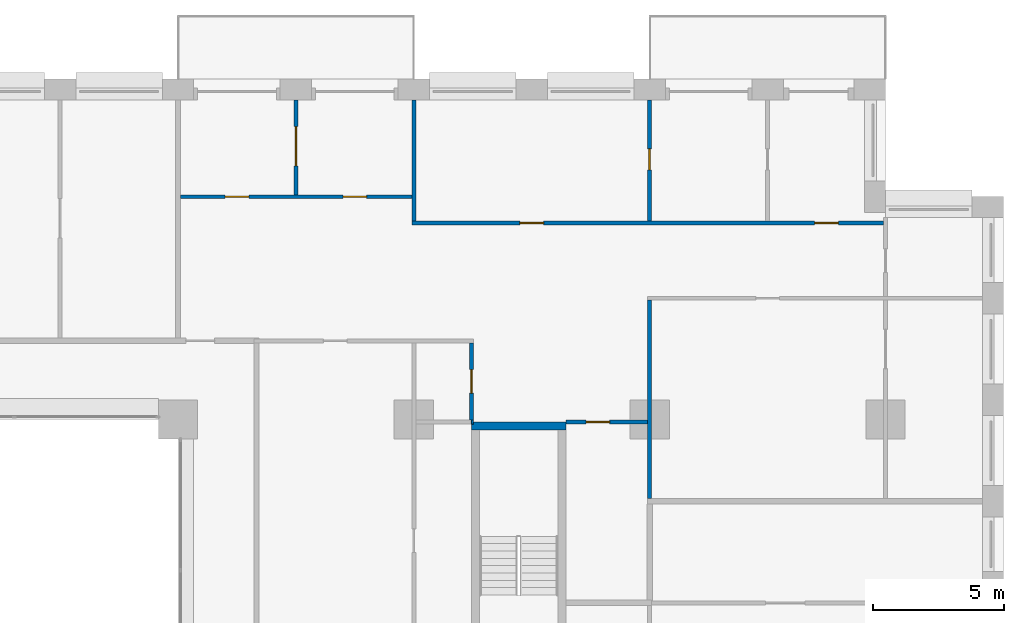
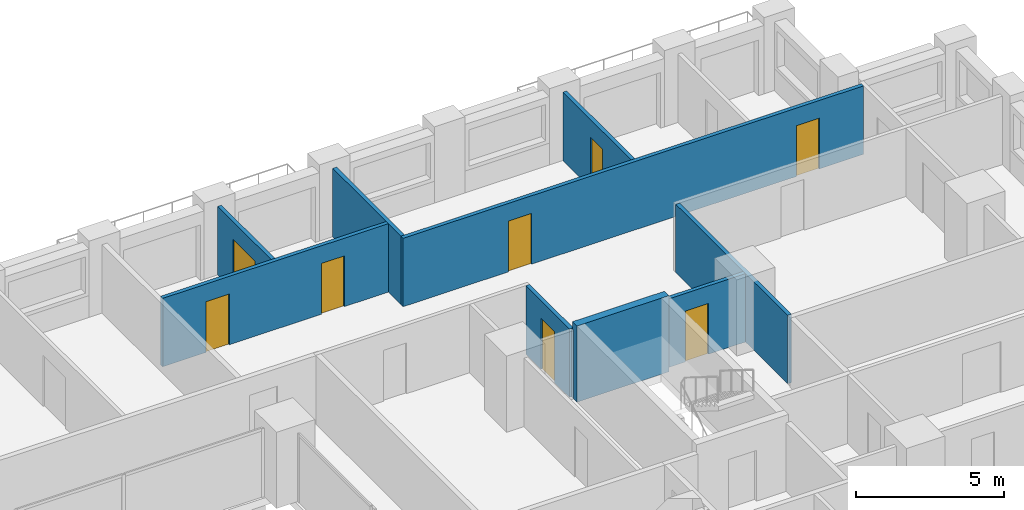
# One storey, part 16 of 21: 10 walls, 8 doors, 8 openings.
"""IFC4 building model written with IfcOpenShell, lengths in metres."""

from ifc_helpers import new_model, si_unit, direction, frame, frame_2d, origin, place, context, subcontext, project, spatial, rectangle, extrude, material, layer, layer_set, type_object, element, fill, save


model = new_model("IFC4")

# Units and contexts
model_context = context("Model", 3, precision=1e-05, world=origin(), true_north=direction((0.0, 1.0)))
body_context = subcontext(model_context, "Body", "Model", "MODEL_VIEW")
ifc_project = project(units=[si_unit("LENGTHUNIT", "METRE"), si_unit("AREAUNIT", "SQUARE_METRE"), si_unit("VOLUMEUNIT", "CUBIC_METRE"), si_unit("PLANEANGLEUNIT", "RADIAN"), si_unit("MASSUNIT", "GRAM", prefix="KILO")], contexts=[model_context])

# Site, building, storey
site_placement = place(None, origin())
site = spatial("IfcSite", under=ifc_project, at=site_placement, CompositionType="ELEMENT")
building_placement = place(site_placement, origin())
building = spatial("IfcBuilding", under=site, at=building_placement, Name="Brigalow Station Residences", CompositionType="ELEMENT")
storey_placement = place(building_placement, frame((0.0, 0.0, 47.85009765625)))
storey = spatial("IfcBuildingStorey", under=building, at=storey_placement, Name="L13", CompositionType="ELEMENT", Elevation=47.85009765625)

# Wall
ifc_material_1 = material(Name="Concrete C80", Category="concrete")
ifc_layer_1 = layer(ifc_material_1, 0.300048828125)
ifc_layer_set_1 = layer_set([ifc_layer_1], Name="CORE SHEAR WALL 300 C80")
wall_type_1 = type_object("IfcWallType", Name="CORE SHEAR WALL 300 C80", PredefinedType="SHEAR", material=ifc_layer_set_1)
wall_1_placement = place(storey_placement, frame((56.199951171875, 35.25, 0.0), z_axis=(0.0, 0.0, 1.0), x_axis=(1.0, 0.0, 0.0)))
element("IfcWall", 1, at=wall_1_placement, inside=storey, type_object=wall_type_1, Name="CORE WALL ST-S3-N L13", PredefinedType="SHEAR", context=body_context, shape_type="SweptSolid", body=[
    extrude(rectangle(XDim=3.60009765625, YDim=0.300048828125, at=frame_2d((1.800048828125, 0.0))), origin(), (0.0, 0.0, 1.0), 3.14990234375),
])

# Wall, openings, doors
ifc_material_2 = material(Name="Plasterboard on steel stud partition", Category="steel")
ifc_layer_2 = layer(ifc_material_2, 0.14990234375)
ifc_layer_set_2 = layer_set([ifc_layer_2], Name="FLAT PARTITION 150")
wall_type_2 = type_object("IfcWallType", Name="FLAT PARTITION 150", PredefinedType="PARTITIONING", material=ifc_layer_set_2)
wall_2_placement = place(storey_placement, frame((45.10009765625, 44.0, 0.0), z_axis=(0.0, 0.0, 1.0), x_axis=(1.0, 0.0, 0.0)))
wall_2 = element("IfcWall", 2, at=wall_2_placement, inside=storey, type_object=wall_type_2, Name="PW-1D22", PredefinedType="PARTITIONING", context=body_context, shape_type="SweptSolid", body=[
    extrude(rectangle(XDim=8.824951171875, YDim=0.14990234375, at=frame_2d((4.41259765625, 0.0))), origin(), (0.0, 0.0, 1.0), 2.829833984375),
])
opening_1_placement = place(wall_2_placement, frame((6.199951171875, 0.0, 0.0)))
opening_1 = element("IfcOpeningElement", 3, at=opening_1_placement, cuts=wall_2, Name="Opening D-1D36", PredefinedType="OPENING", context=body_context, shape_type="SweptSolid", body=[
    extrude(rectangle(XDim=0.89990234375, YDim=2.10009765625, at=frame_2d((0.449951171875, 1.050048828125))), frame((0.0, 0.0849609375, 0.0), z_axis=(0.0, -1.0, 0.0), x_axis=(1.0, 0.0, 0.0)), (0.0, 0.0, 1.0), 0.169921875),
])
opening_2_placement = place(wall_2_placement, frame((1.699951171875, 0.0, 0.0)))
opening_2 = element("IfcOpeningElement", 4, at=opening_2_placement, cuts=wall_2, Name="Opening D-1D40", PredefinedType="OPENING", context=body_context, shape_type="SweptSolid", body=[
    extrude(rectangle(XDim=0.89990234375, YDim=2.10009765625, at=frame_2d((0.449951171875, 1.050048828125))), frame((0.0, 0.0849609375, 0.0), z_axis=(0.0, -1.0, 0.0), x_axis=(1.0, 0.0, 0.0)), (0.0, 0.0, 1.0), 0.169921875),
])
ifc_material_3 = material(Name="Solid-core timber door leaf", Category="wood")
door_type_1 = type_object("IfcDoorType", Name="INTERNAL DOOR 900 x 2100", OperationType="SINGLE_SWING_LEFT", PredefinedType="DOOR", material=ifc_material_3)
door_1_placement = place(opening_1_placement, origin())
door_1 = element("IfcDoor", 5, at=door_1_placement, inside=storey, type_object=door_type_1, Name="D-1D36", OperationType="SINGLE_SWING_LEFT", OverallHeight=2.10009765625, OverallWidth=0.89990234375, PredefinedType="DOOR", context=body_context, shape_type="SweptSolid", body=[
    extrude(rectangle(XDim=0.89990234375, YDim=2.10009765625, at=frame_2d((0.449951171875, 1.050048828125))), frame((0.0, 0.02490234375, 0.0), z_axis=(0.0, -1.0, 0.0), x_axis=(1.0, 0.0, 0.0)), (0.0, 0.0, 1.0), 0.050048828125),
])
fill(opening_1, door_1)
door_2_placement = place(opening_2_placement, origin())
door_2 = element("IfcDoor", 6, at=door_2_placement, inside=storey, type_object=door_type_1, Name="D-1D40", OperationType="SINGLE_SWING_LEFT", OverallHeight=2.10009765625, OverallWidth=0.89990234375, PredefinedType="DOOR", context=body_context, shape_type="SweptSolid", body=[
    extrude(rectangle(XDim=0.89990234375, YDim=2.10009765625, at=frame_2d((0.449951171875, 1.050048828125))), frame((0.0, 0.02490234375, 0.0), z_axis=(0.0, -1.0, 0.0), x_axis=(1.0, 0.0, 0.0)), (0.0, 0.0, 1.0), 0.050048828125),
])
fill(opening_2, door_2)

# Wall
wall_3_placement = place(storey_placement, frame((56.199951171875, 35.39990234375, 0.0), z_axis=(0.0, 0.0, 1.0), x_axis=(1.0, 0.0, 0.0)))
element("IfcWall", 7, at=wall_3_placement, inside=storey, type_object=wall_type_2, Name="PW-1D26", PredefinedType="PARTITIONING", context=body_context, shape_type="SweptSolid", body=[
    extrude(rectangle(XDim=0.074951171875, YDim=0.14990234375, at=frame_2d((0.03759765625, 0.0))), origin(), (0.0, 0.0, 1.0), 2.829833984375),
])

# Wall, opening, door
wall_4_placement = place(storey_placement, frame((59.800048828125, 35.39990234375, 0.0), z_axis=(0.0, 0.0, 1.0), x_axis=(1.0, 0.0, 0.0)))
wall_4 = element("IfcWall", 8, at=wall_4_placement, inside=storey, type_object=wall_type_2, Name="PW-1D27", PredefinedType="PARTITIONING", context=body_context, shape_type="SweptSolid", body=[
    extrude(rectangle(XDim=3.125, YDim=0.14990234375, at=frame_2d((1.5625, 0.0))), origin(), (0.0, 0.0, 1.0), 2.829833984375),
])
opening_3_placement = place(wall_4_placement, frame((0.77490234375, 0.0, 0.0)))
opening_3 = element("IfcOpeningElement", 9, at=opening_3_placement, cuts=wall_4, Name="Opening D-1D45", PredefinedType="OPENING", context=body_context, shape_type="SweptSolid", body=[
    extrude(rectangle(XDim=0.89990234375, YDim=2.10009765625, at=frame_2d((0.449951171875, 1.050048828125))), frame((0.0, 0.0849609375, 0.0), z_axis=(0.0, -1.0, 0.0), x_axis=(1.0, 0.0, 0.0)), (0.0, 0.0, 1.0), 0.169921875),
])
door_3_placement = place(opening_3_placement, frame((0.89990234375, 0.0, 0.0), z_axis=(0.0, 0.0, 1.0), x_axis=(-1.0, 0.0, 0.0)))
door_3 = element("IfcDoor", 10, at=door_3_placement, inside=storey, type_object=door_type_1, Name="D-1D45", OperationType="SINGLE_SWING_RIGHT", OverallHeight=2.10009765625, OverallWidth=0.89990234375, PredefinedType="DOOR", context=body_context, shape_type="SweptSolid", body=[
    extrude(rectangle(XDim=0.89990234375, YDim=2.10009765625, at=frame_2d((0.449951171875, 1.050048828125))), frame((0.0, 0.02490234375, 0.0), z_axis=(0.0, -1.0, 0.0), x_axis=(1.0, 0.0, 0.0)), (0.0, 0.0, 1.0), 0.050048828125),
])
fill(opening_3, door_3)

# Wall, openings, doors
wall_5_placement = place(storey_placement, frame((53.925048828125, 43.0, 0.0), z_axis=(0.0, 0.0, 1.0), x_axis=(1.0, 0.0, 0.0)))
wall_5 = element("IfcWall", 11, at=wall_5_placement, inside=storey, type_object=wall_type_2, Name="PW-1D30", PredefinedType="PARTITIONING", context=body_context, shape_type="SweptSolid", body=[
    extrude(rectangle(XDim=18.0, YDim=0.14990234375, at=frame_2d((9.0, 0.0))), origin(), (0.0, 0.0, 1.0), 2.829833984375),
])
opening_4_placement = place(wall_5_placement, frame((15.375, 0.0, 0.0)))
opening_4 = element("IfcOpeningElement", 12, at=opening_4_placement, cuts=wall_5, Name="Opening D-1D35", PredefinedType="OPENING", context=body_context, shape_type="SweptSolid", body=[
    extrude(rectangle(XDim=0.89990234375, YDim=2.10009765625, at=frame_2d((0.449951171875, 1.050048828125))), frame((0.0, 0.0849609375, 0.0), z_axis=(0.0, -1.0, 0.0), x_axis=(1.0, 0.0, 0.0)), (0.0, 0.0, 1.0), 0.169921875),
])
opening_5_placement = place(wall_5_placement, frame((4.125, 0.0, 0.0)))
opening_5 = element("IfcOpeningElement", 13, at=opening_5_placement, cuts=wall_5, Name="Opening D-1D41", PredefinedType="OPENING", context=body_context, shape_type="SweptSolid", body=[
    extrude(rectangle(XDim=0.89990234375, YDim=2.10009765625, at=frame_2d((0.449951171875, 1.050048828125))), frame((0.0, 0.0849609375, 0.0), z_axis=(0.0, -1.0, 0.0), x_axis=(1.0, 0.0, 0.0)), (0.0, 0.0, 1.0), 0.169921875),
])
door_4_placement = place(opening_4_placement, origin())
door_4 = element("IfcDoor", 14, at=door_4_placement, inside=storey, type_object=door_type_1, Name="D-1D35", OperationType="SINGLE_SWING_RIGHT", OverallHeight=2.10009765625, OverallWidth=0.89990234375, PredefinedType="DOOR", context=body_context, shape_type="SweptSolid", body=[
    extrude(rectangle(XDim=0.89990234375, YDim=2.10009765625, at=frame_2d((0.449951171875, 1.050048828125))), frame((0.0, 0.02490234375, 0.0), z_axis=(0.0, -1.0, 0.0), x_axis=(1.0, 0.0, 0.0)), (0.0, 0.0, 1.0), 0.050048828125),
])
fill(opening_4, door_4)
door_5_placement = place(opening_5_placement, origin())
door_5 = element("IfcDoor", 15, at=door_5_placement, inside=storey, type_object=door_type_1, Name="D-1D41", OperationType="SINGLE_SWING_LEFT", OverallHeight=2.10009765625, OverallWidth=0.89990234375, PredefinedType="DOOR", context=body_context, shape_type="SweptSolid", body=[
    extrude(rectangle(XDim=0.89990234375, YDim=2.10009765625, at=frame_2d((0.449951171875, 1.050048828125))), frame((0.0, 0.02490234375, 0.0), z_axis=(0.0, -1.0, 0.0), x_axis=(1.0, 0.0, 0.0)), (0.0, 0.0, 1.0), 0.050048828125),
])
fill(opening_5, door_5)

# Walls
wall_6_placement = place(storey_placement, frame((54.0, 43.074951171875, 0.0), z_axis=(0.0, 0.0, 1.0), x_axis=(0.0, 1.0, 0.0)))
element("IfcWall", 16, at=wall_6_placement, inside=storey, type_object=wall_type_2, Name="PW-1D40", PredefinedType="PARTITIONING", context=body_context, shape_type="SweptSolid", body=[
    extrude(rectangle(XDim=4.625, YDim=0.14990234375, at=frame_2d((2.3125, 0.0))), origin(), (0.0, 0.0, 1.0), 2.829833984375),
])
wall_7_placement = place(storey_placement, frame((63.0, 32.47509765625, 0.0), z_axis=(0.0, 0.0, 1.0), x_axis=(0.0, 1.0, 0.0)))
element("IfcWall", 17, at=wall_7_placement, inside=storey, type_object=wall_type_2, Name="PW-1D71", PredefinedType="PARTITIONING", context=body_context, shape_type="SweptSolid", body=[
    extrude(rectangle(XDim=7.574951171875, YDim=0.14990234375, at=frame_2d((3.78759765625, 0.0))), origin(), (0.0, 0.0, 1.0), 2.829833984375),
])

# Wall, opening, door
wall_8_placement = place(storey_placement, frame((63.0, 43.074951171875, 0.0), z_axis=(0.0, 0.0, 1.0), x_axis=(0.0, 1.0, 0.0)))
wall_8 = element("IfcWall", 18, at=wall_8_placement, inside=storey, type_object=wall_type_2, Name="PW-1D72", PredefinedType="PARTITIONING", context=body_context, shape_type="SweptSolid", body=[
    extrude(rectangle(XDim=4.625, YDim=0.14990234375, at=frame_2d((2.3125, 0.0))), origin(), (0.0, 0.0, 1.0), 2.829833984375),
])
opening_6_placement = place(wall_8_placement, frame((1.949951171875, 0.0, 0.0)))
opening_6 = element("IfcOpeningElement", 19, at=opening_6_placement, cuts=wall_8, Name="Opening D-1D38", PredefinedType="OPENING", context=body_context, shape_type="SweptSolid", body=[
    extrude(rectangle(XDim=0.800048828125, YDim=2.10009765625, at=frame_2d((0.39990234375, 1.050048828125))), frame((0.0, 0.0849609375, 0.0), z_axis=(0.0, -1.0, 0.0), x_axis=(1.0, 0.0, 0.0)), (0.0, 0.0, 1.0), 0.169921875),
])
ifc_material_4 = material(Name="Solid-core timber door leaf", Category="wood")
door_type_2 = type_object("IfcDoorType", Name="INTERNAL DOOR 800 x 2100", OperationType="SINGLE_SWING_LEFT", PredefinedType="DOOR", material=ifc_material_4)
door_6_placement = place(opening_6_placement, frame((0.800048828125, 0.0, 0.0), z_axis=(0.0, 0.0, 1.0), x_axis=(-1.0, 0.0, 0.0)))
door_6 = element("IfcDoor", 20, at=door_6_placement, inside=storey, type_object=door_type_2, Name="D-1D38", OperationType="SINGLE_SWING_LEFT", OverallHeight=2.10009765625, OverallWidth=0.800048828125, PredefinedType="DOOR", context=body_context, shape_type="SweptSolid", body=[
    extrude(rectangle(XDim=0.800048828125, YDim=2.10009765625, at=frame_2d((0.39990234375, 1.050048828125))), frame((0.0, 0.02490234375, 0.0), z_axis=(0.0, -1.0, 0.0), x_axis=(1.0, 0.0, 0.0)), (0.0, 0.0, 1.0), 0.050048828125),
])
fill(opening_6, door_6)

wall_9_placement = place(storey_placement, frame((56.199951171875, 35.47509765625, 0.0), z_axis=(0.0, 0.0, 1.0), x_axis=(0.0, 1.0, 0.0)))
wall_9 = element("IfcWall", 21, at=wall_9_placement, inside=storey, type_object=wall_type_2, Name="PW-1D74", PredefinedType="PARTITIONING", context=body_context, shape_type="SweptSolid", body=[
    extrude(rectangle(XDim=2.949951171875, YDim=0.14990234375, at=frame_2d((1.47509765625, 0.0))), origin(), (0.0, 0.0, 1.0), 2.829833984375),
])
opening_7_placement = place(wall_9_placement, frame((1.02490234375, 0.0, 0.0)))
opening_7 = element("IfcOpeningElement", 22, at=opening_7_placement, cuts=wall_9, Name="Opening D-1D44", PredefinedType="OPENING", context=body_context, shape_type="SweptSolid", body=[
    extrude(rectangle(XDim=0.89990234375, YDim=2.10009765625, at=frame_2d((0.449951171875, 1.050048828125))), frame((0.0, 0.0849609375, 0.0), z_axis=(0.0, -1.0, 0.0), x_axis=(1.0, 0.0, 0.0)), (0.0, 0.0, 1.0), 0.169921875),
])
door_7_placement = place(opening_7_placement, origin())
door_7 = element("IfcDoor", 23, at=door_7_placement, inside=storey, type_object=door_type_1, Name="D-1D44", OperationType="SINGLE_SWING_RIGHT", OverallHeight=2.10009765625, OverallWidth=0.89990234375, PredefinedType="DOOR", context=body_context, shape_type="SweptSolid", body=[
    extrude(rectangle(XDim=0.89990234375, YDim=2.10009765625, at=frame_2d((0.449951171875, 1.050048828125))), frame((0.0, 0.02490234375, 0.0), z_axis=(0.0, -1.0, 0.0), x_axis=(1.0, 0.0, 0.0)), (0.0, 0.0, 1.0), 0.050048828125),
])
fill(opening_7, door_7)

wall_10_placement = place(storey_placement, frame((49.5, 44.074951171875, 0.0), z_axis=(0.0, 0.0, 1.0), x_axis=(0.0, 1.0, 0.0)))
wall_10 = element("IfcWall", 24, at=wall_10_placement, inside=storey, type_object=wall_type_2, Name="PW-1D78", PredefinedType="PARTITIONING", context=body_context, shape_type="SweptSolid", body=[
    extrude(rectangle(XDim=3.625, YDim=0.14990234375, at=frame_2d((1.8125, 0.0))), origin(), (0.0, 0.0, 1.0), 2.829833984375),
])
opening_8_placement = place(wall_10_placement, frame((1.10009765625, 0.0, 0.0)))
opening_8 = element("IfcOpeningElement", 25, at=opening_8_placement, cuts=wall_10, Name="Opening D-1D37", PredefinedType="OPENING", context=body_context, shape_type="SweptSolid", body=[
    extrude(rectangle(XDim=1.5, YDim=2.10009765625, at=frame_2d((0.75, 1.050048828125))), frame((0.0, 0.0849609375, 0.0), z_axis=(0.0, -1.0, 0.0), x_axis=(1.0, 0.0, 0.0)), (0.0, 0.0, 1.0), 0.169921875),
])
ifc_material_5 = material(Name="Solid-core timber door leaf", Category="wood")
door_type_3 = type_object("IfcDoorType", Name="INTERNAL DOUBLE DOOR 1500 x 2100", OperationType="DOUBLE_DOOR_SINGLE_SWING", PredefinedType="DOOR", material=ifc_material_5)
door_8_placement = place(opening_8_placement, origin())
door_8 = element("IfcDoor", 26, at=door_8_placement, inside=storey, type_object=door_type_3, Name="D-1D37", OperationType="DOUBLE_DOOR_SINGLE_SWING", OverallHeight=2.10009765625, OverallWidth=1.5, PredefinedType="DOOR", context=body_context, shape_type="SweptSolid", body=[
    extrude(rectangle(XDim=1.5, YDim=2.10009765625, at=frame_2d((0.75, 1.050048828125))), frame((0.0, 0.02490234375, 0.0), z_axis=(0.0, -1.0, 0.0), x_axis=(1.0, 0.0, 0.0)), (0.0, 0.0, 1.0), 0.050048828125),
])
fill(opening_8, door_8)

save(model, "model.ifc")
